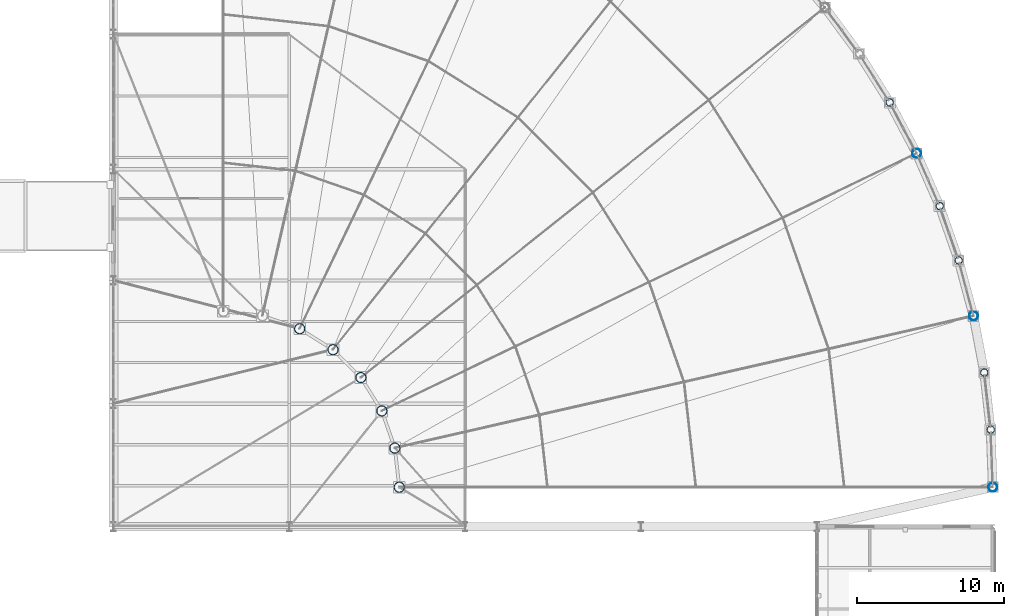
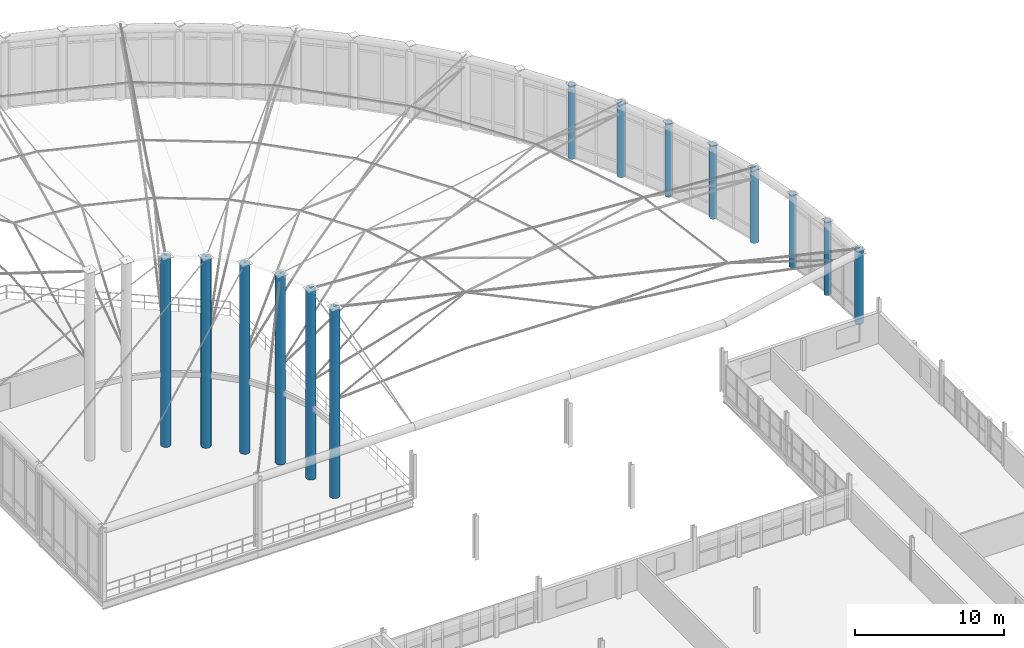
# One storey, part 21 of 101: 14 columns.
"""IFC4 building model written with IfcOpenShell, lengths in metres."""

from ifc_helpers import new_model, si_unit, direction, frame, origin, origin_2d, place, context, subcontext, project, spatial, hollow_circle, extrude, material, material_profile, profile_set, type_object, element, save


model = new_model("IFC4")

# Units and contexts
model_context = context("Model", 3, precision=1e-05, world=origin(), true_north=direction((0.0, 1.0)))
body_context = subcontext(model_context, "Body", "Model", "MODEL_VIEW")
ifc_project = project(units=[si_unit("LENGTHUNIT", "METRE"), si_unit("AREAUNIT", "SQUARE_METRE"), si_unit("VOLUMEUNIT", "CUBIC_METRE"), si_unit("PLANEANGLEUNIT", "RADIAN"), si_unit("MASSUNIT", "GRAM", prefix="KILO"), si_unit("THERMODYNAMICTEMPERATUREUNIT", "KELVIN"), si_unit("POWERUNIT", "WATT")], contexts=[model_context])

# Site, building, storey
site_placement = place(None, origin())
site = spatial("IfcSite", under=ifc_project, at=site_placement, CompositionType="ELEMENT")
building_placement = place(site_placement, origin())
building = spatial("IfcBuilding", under=site, at=building_placement, Name="Tembeka Court Mobility Hub", CompositionType="ELEMENT")
storey_placement = place(building_placement, frame((0.0, 0.0, 5.39990234375)))
storey = spatial("IfcBuildingStorey", under=building, at=storey_placement, Name="L01", CompositionType="ELEMENT", Elevation=5.39990234375)

# Columns
ifc_material = material(Name="Steel S355", Category="steel")
ifc_material_profile_1 = material_profile(ifc_material, hollow_circle(Radius=0.304931640625, WallThickness=0.02001953125, at=origin_2d()), Name="CHS 610x20")
ifc_profile_set_1 = profile_set([ifc_material_profile_1], Name="Steel S355")
column_type_1 = type_object("IfcColumnType", Name="COL-C07", PredefinedType="COLUMN", material=ifc_profile_set_1)
for number, where, z_axis, x_axis, name in (
    (1, (171.200927734375, 89.078857421875, 0.0), (0.0, 0.0, 1.0), (1.0, 0.0, 0.0), "Column C07 (L01-233)"),
    (2, (175.083740234375, 77.982421875, 0.0), (0.0, 0.0, 1.0), (1.0, 0.0, 0.0), "Column C07 (L01-236)"),
    (3, (176.39990234375, 66.300048828125, 0.0), (0.0, 0.0, 1.0), (1.0, 0.0, 0.0), "Column C07 (L01-246)"),
):
    element("IfcColumn", number, at=place(storey_placement, frame(where, z_axis=z_axis, x_axis=x_axis)), inside=storey, type_object=column_type_1, Name=name, PredefinedType="COLUMN", context=body_context, shape_type="SweptSolid", body=[
        extrude(hollow_circle(Radius=0.304931640625, WallThickness=0.02001953125, at=origin_2d()), origin(), (0.0, 0.0, 1.0), 6.0),
    ])
ifc_material_profile_2 = material_profile(ifc_material, hollow_circle(Radius=0.25390625, WallThickness=0.01611328125, at=origin_2d()), Name="CHS 508x16")
ifc_profile_set_2 = profile_set([ifc_material_profile_2], Name="Steel S355")
column_type_2 = type_object("IfcColumnType", Name="COL-C08", PredefinedType="COLUMN", material=ifc_profile_set_2)
for number, where, z_axis, x_axis, name in (
    (4, (169.3662109375, 92.550048828125, 0.0), (0.0, 0.0, 1.0), (1.0, 0.0, 0.0), "Column C08 (L01-232)"),
    (5, (172.77099609375, 85.48046875, 0.0), (0.0, 0.0, 1.0), (1.0, 0.0, 0.0), "Column C08 (L01-234)"),
    (6, (174.067626953125, 81.774658203125, 0.0), (0.0, 0.0, 1.0), (1.0, 0.0, 0.0), "Column C08 (L01-235)"),
    (7, (175.813720703125, 74.124755859375, 0.0), (0.0, 0.0, 1.0), (1.0, 0.0, 0.0), "Column C08 (L01-237)"),
    (8, (176.253173828125, 70.223388671875, 0.0), (0.0, 0.0, 1.0), (1.0, 0.0, 0.0), "Column C08 (L01-238)"),
):
    element("IfcColumn", number, at=place(storey_placement, frame(where, z_axis=z_axis, x_axis=x_axis)), inside=storey, type_object=column_type_2, Name=name, PredefinedType="COLUMN", context=body_context, shape_type="SweptSolid", body=[
        extrude(hollow_circle(Radius=0.25390625, WallThickness=0.01611328125, at=origin_2d()), origin(), (0.0, 0.0, 1.0), 6.0),
    ])
ifc_material_profile_3 = material_profile(ifc_material, hollow_circle(Radius=0.35546875, WallThickness=0.02490234375, at=origin_2d()), Name="CHS 711x25")
ifc_profile_set_3 = profile_set([ifc_material_profile_3], Name="Steel S355")
column_type_3 = type_object("IfcColumnType", Name="COL-MST01", PredefinedType="COLUMN", material=ifc_profile_set_3)
for number, where, z_axis, x_axis, name in (
    (9, (129.106689453125, 77.111572265625, 0.0), (0.0, 0.0, 1.0), (1.0, 0.0, 0.0), "Concourse roof mast M6 (L01)"),
    (10, (131.3818359375, 75.681884765625, 0.0), (0.0, 0.0, 1.0), (1.0, 0.0, 0.0), "Concourse roof mast M5 (L01)"),
    (11, (133.281982421875, 73.781982421875, 0.0), (0.0, 0.0, 1.0), (1.0, 0.0, 0.0), "Concourse roof mast M4 (L01)"),
    (12, (134.711669921875, 71.506591796875, 0.0), (0.0, 0.0, 1.0), (1.0, 0.0, 0.0), "Concourse roof mast M3 (L01)"),
    (13, (135.59912109375, 68.97021484375, 0.0), (0.0, 0.0, 1.0), (1.0, 0.0, 0.0), "Concourse roof mast M2 (L01)"),
    (14, (135.89990234375, 66.300048828125, 0.0), (0.0, 0.0, 1.0), (1.0, 0.0, 0.0), "Concourse roof mast M1 (L01)"),
):
    element("IfcColumn", number, at=place(storey_placement, frame(where, z_axis=z_axis, x_axis=x_axis)), inside=storey, type_object=column_type_3, Name=name, PredefinedType="COLUMN", context=body_context, shape_type="SweptSolid", body=[
        extrude(hollow_circle(Radius=0.35546875, WallThickness=0.02490234375, at=origin_2d()), origin(), (0.0, 0.0, 1.0), 15.400146484375),
    ])

save(model, "model.ifc")
